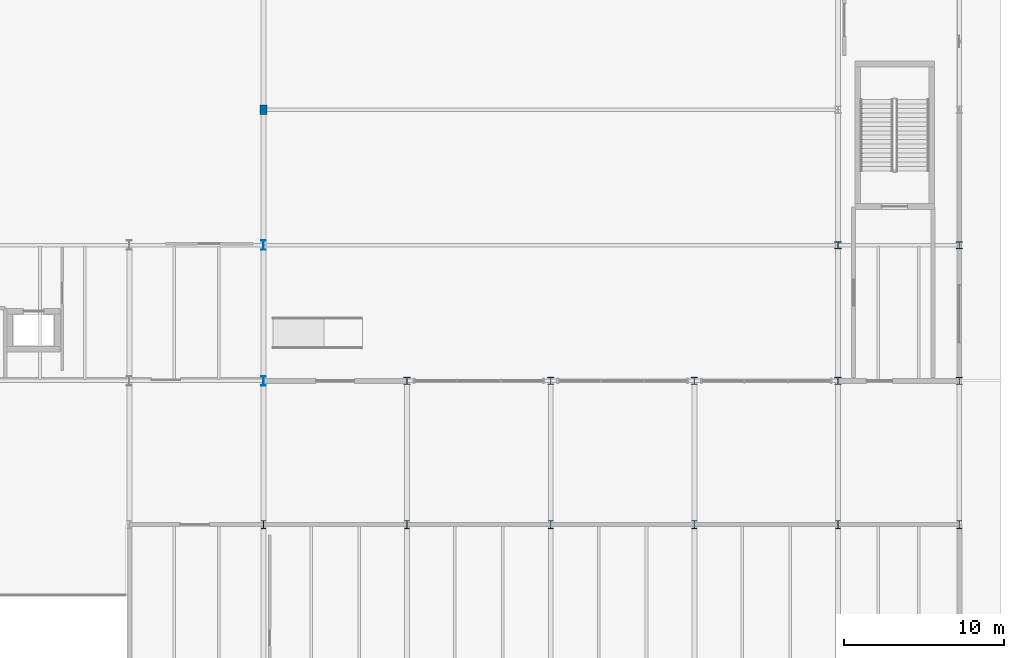
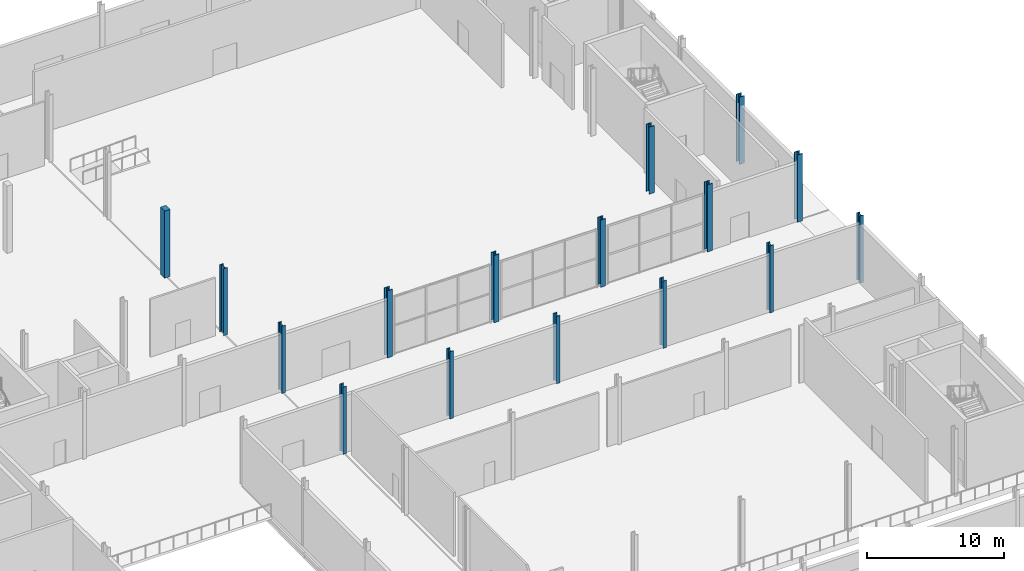
# One storey, part 15 of 84: 16 columns.
"""IFC4 building model written with IfcOpenShell, lengths in metres."""

import ifcopenshell
import ifcopenshell.guid

model = None  # the IFC model being written
_history = None  # IfcOwnerHistory: only IFC2X3 demands one
_inside = {}  # id of a spatial element -> (the spatial element, [elements in it])
_under = {}  # id of a project, library or spatial element -> (it, [spatial elements below it])
_declared = {}  # id of a project -> (the project, [libraries it declares])
_typed = {}  # id of a type object -> (the type object, [elements of that type])
_made_of = {}  # id of a material, layer set ... -> (it, [elements and type objects made of it])


def new_model(schema):
    """Start an empty IFC model of exactly this schema.

    Asked for "IFC4X3", IfcOpenShell would pick the latest addendum, in which some entities
    have other attributes; the version numbers below select the first issue.
    IFC2X3 requires an IfcOwnerHistory on every rooted entity: one is made here for all.
    """
    global model, _history
    if schema == "IFC4X3":
        model = ifcopenshell.file(schema_version=(4, 3, 0, 0))
    else:
        model = ifcopenshell.file(schema=schema)
    _inside.clear()
    _under.clear()
    _declared.clear()
    _typed.clear()
    _made_of.clear()
    _history = None
    if model.schema == "IFC2X3":
        org = make("IfcOrganization", Name="unknown")
        user = make(
            "IfcPersonAndOrganization",
            ThePerson=make("IfcPerson", FamilyName="unknown"),
            TheOrganization=org,
        )
        app = make(
            "IfcApplication",
            ApplicationDeveloper=org,
            Version="unknown",
            ApplicationFullName="unknown",
            ApplicationIdentifier="unknown",
        )
        _history = make(
            "IfcOwnerHistory",
            OwningUser=user,
            OwningApplication=app,
            ChangeAction="ADDED",
            CreationDate=0,
        )
    return model


def make(cls, **values):
    """One entity of the class cls with the attributes given. An attribute that is None is left unset."""
    return model.create_entity(
        cls, **{name: value for name, value in values.items() if value is not None}
    )


def rooted(cls, **values):
    """An entity with a GlobalId (a new one), such as an element, a storey or a relation."""
    return make(cls, GlobalId=ifcopenshell.guid.new(), OwnerHistory=_history, **values)


def si_unit(unit_type, name, prefix=None):
    """IfcSIUnit, for example si_unit("LENGTHUNIT", "METRE", prefix="MILLI")."""
    return make("IfcSIUnit", UnitType=unit_type, Prefix=prefix, Name=name)


def assignment(units):
    """IfcUnitAssignment: the units of a project."""
    return None if units is None else make("IfcUnitAssignment", Units=units)


def point(xyz):
    """IfcCartesianPoint."""
    return None if xyz is None else make("IfcCartesianPoint", Coordinates=xyz)


def direction(xyz):
    """IfcDirection."""
    return None if xyz is None else make("IfcDirection", DirectionRatios=xyz)


def frame(location, z_axis=None, x_axis=None):
    """IfcAxis2Placement3D, a coordinate frame: its origin and axes. An axis left out is left unset."""
    return make(
        "IfcAxis2Placement3D",
        Location=point(location),
        Axis=direction(z_axis),
        RefDirection=direction(x_axis),
    )


def frame_2d(location, x_axis=None):
    """IfcAxis2Placement2D, a coordinate frame in the plane: its origin and x axis."""
    return make(
        "IfcAxis2Placement2D", Location=point(location), RefDirection=direction(x_axis)
    )


def origin():
    """The frame at (0, 0, 0) with its axes left unset."""
    return frame((0.0, 0.0, 0.0))


def origin_2d():
    """The frame at (0, 0) in the plane with its x axis left unset."""
    return frame_2d((0.0, 0.0))


def place(relative_to, where):
    """IfcLocalPlacement: puts the frame where relative to a parent placement (None: the world)."""
    return make(
        "IfcLocalPlacement", PlacementRelTo=relative_to, RelativePlacement=where
    )


def context(
    kind, dimensions, precision=None, world=None, true_north=None, identifier=None
):
    """IfcGeometricRepresentationContext, for example the 3D "Model" context."""
    return make(
        "IfcGeometricRepresentationContext",
        ContextIdentifier=identifier,
        ContextType=kind,
        CoordinateSpaceDimension=dimensions,
        Precision=precision,
        WorldCoordinateSystem=world,
        TrueNorth=true_north,
    )


def subcontext(parent, identifier, kind, view, scale=None):
    """IfcGeometricRepresentationSubContext, for example "Body" below "Model"."""
    return make(
        "IfcGeometricRepresentationSubContext",
        ContextIdentifier=identifier,
        ContextType=kind,
        ParentContext=parent,
        TargetScale=scale,
        TargetView=view,
    )


def project(units=None, contexts=None):
    """IfcProject with its units and contexts."""
    return rooted(
        "IfcProject",
        Name="project",
        RepresentationContexts=contexts,
        UnitsInContext=assignment(units),
    )


def spatial(cls, under=None, at=None, **own):
    """A site, building, storey or space (cls), placed at a placement, below another one or the project."""
    s = rooted(cls, ObjectPlacement=at, **own)
    if under is not None:
        _under.setdefault(under.id(), (under, []))[1].append(s)
    return s


def profile(cls, at=None, kind="AREA", **sizes):
    """A parametric profile (cls). Its sizes go by their IFC names, for example OverallWidth=200.0."""
    return make(cls, ProfileType=kind, Position=at, **sizes)


def rectangle(**sizes):
    """IfcRectangleProfileDef."""
    return profile("IfcRectangleProfileDef", **sizes)


def i_section(**sizes):
    """IfcIShapeProfileDef."""
    return profile("IfcIShapeProfileDef", **sizes)


def extrude(swept, where, along, depth):
    """IfcExtrudedAreaSolid: the profile swept, set in the frame where, extruded along a direction by depth."""
    return make(
        "IfcExtrudedAreaSolid",
        SweptArea=swept,
        Position=where,
        ExtrudedDirection=direction(along),
        Depth=depth,
    )


def shape(context_of_items, identifier, shape_type, items):
    """IfcShapeRepresentation: the items that make up one representation, for example the "Body"."""
    return make(
        "IfcShapeRepresentation",
        ContextOfItems=context_of_items,
        RepresentationIdentifier=identifier,
        RepresentationType=shape_type,
        Items=items,
    )


def material(Name=None, Category=None):
    """IfcMaterial."""
    return make("IfcMaterial", Name=Name, Category=Category)


def material_profile(
    of_material, cross_section, Name=None, Category=None, Priority=None
):
    """IfcMaterialProfile: a cross section and its material."""
    return make(
        "IfcMaterialProfile",
        Name=Name,
        Material=of_material,
        Profile=cross_section,
        Priority=Priority,
        Category=Category,
    )


def profile_set(profiles, Name=None, composite=None):
    """IfcMaterialProfileSet."""
    return make(
        "IfcMaterialProfileSet",
        Name=Name,
        MaterialProfiles=profiles,
        CompositeProfile=composite,
    )


def made_of(thing, what):
    """Note that an element or type object is made of a material, layer set ...; save() writes the relation."""
    if what is not None:
        _made_of.setdefault(what.id(), (what, []))[1].append(thing)
    return thing


def type_object(cls, material=None, **own):
    """A type object (cls), such as IfcWallType, which elements share."""
    return made_of(rooted(cls, **own), material)


def element(
    cls,
    number,
    at=None,
    inside=None,
    cuts=None,
    type_object=None,
    material=None,
    context=None,
    identifier="Body",
    shape_type=None,
    held_by="IfcProductDefinitionShape",
    body=None,
    shapes=None,
    **own,
):
    """One element of the class cls, such as IfcWall. Its Tag is "e" and its number.

    at: its placement. inside: the storey or other place that contains it. cuts: it is an
    opening in that element (IfcRelVoidsElement). A single representation is given by context,
    identifier, shape_type and body (its items); several are given by shapes. held_by: the class
    of the entity that holds the representations. save() writes the other relations.
    """
    e = rooted(cls, Tag="e%d" % number, ObjectPlacement=at, **own)
    if body is not None:
        shapes = [shape(context, identifier, shape_type, body)]
    if shapes is not None:
        e.Representation = make(held_by, Representations=shapes)
    if inside is not None:
        _inside.setdefault(inside.id(), (inside, []))[1].append(e)
    if cuts is not None:
        rooted(
            "IfcRelVoidsElement", RelatingBuildingElement=cuts, RelatedOpeningElement=e
        )
    if type_object is not None:
        _typed.setdefault(type_object.id(), (type_object, []))[1].append(e)
    return made_of(e, material)


def aggregate(whole, parts):
    """IfcRelAggregates: a whole, such as a stair, and the parts it consists of."""
    return rooted("IfcRelAggregates", RelatingObject=whole, RelatedObjects=parts)


def save(model, path):
    """Write the relations noted so far, then the file.

    IfcRelAggregates (storeys below a building ...), IfcRelContainedInSpatialStructure (elements
    in a storey), IfcRelDefinesByType, IfcRelAssociatesMaterial and IfcRelDeclares: one each for
    every whole, place, type object, material and project.
    """
    for whole, parts in _under.values():
        aggregate(whole, parts)
    for where, things in _inside.values():
        rooted(
            "IfcRelContainedInSpatialStructure",
            RelatedElements=things,
            RelatingStructure=where,
        )
    for kind, things in _typed.values():
        rooted("IfcRelDefinesByType", RelatedObjects=things, RelatingType=kind)
    for what, things in _made_of.values():
        rooted("IfcRelAssociatesMaterial", RelatedObjects=things, RelatingMaterial=what)
    for by, libraries in _declared.values():
        rooted("IfcRelDeclares", RelatingContext=by, RelatedDefinitions=libraries)
    model.write(path)


model = new_model("IFC4")

# Units and contexts
model_context = context("Model", 3, precision=1e-05, world=origin(), true_north=direction((0.0, 1.0)))
body_context = subcontext(model_context, "Body", "Model", "MODEL_VIEW")
ifc_project = project(units=[si_unit("LENGTHUNIT", "METRE"), si_unit("AREAUNIT", "SQUARE_METRE"), si_unit("VOLUMEUNIT", "CUBIC_METRE"), si_unit("PLANEANGLEUNIT", "RADIAN"), si_unit("MASSUNIT", "GRAM", prefix="KILO")], contexts=[model_context])

# Site, building, storey
site_placement = place(None, origin())
site = spatial("IfcSite", under=ifc_project, at=site_placement, CompositionType="ELEMENT")
building_placement = place(site_placement, origin())
building = spatial("IfcBuilding", under=site, at=building_placement, Name="Sefraquen Railside Congress Hotel", CompositionType="ELEMENT")
storey_placement = place(building_placement, origin())
storey = spatial("IfcBuildingStorey", under=building, at=storey_placement, Name="L00", CompositionType="ELEMENT", Elevation=0.0)

# Columns
ifc_material_1 = material(Name="Steel S355J2", Category="steel")
ifc_material_profile_1 = material_profile(ifc_material_1, i_section(OverallWidth=0.424072265625, OverallDepth=0.47412109375, WebThickness=0.044921875, FlangeThickness=0.054931640625, FilletRadius=0.014892578125, at=origin_2d()), Name="HD 400x634")
ifc_profile_set_1 = profile_set([ifc_material_profile_1], Name="Steel S355J2")
column_type_1 = type_object("IfcColumnType", Name="TC-HD-634", PredefinedType="COLUMN", material=ifc_profile_set_1)
for number, where, z_axis, x_axis, name in (
    (1, (164.39990234375, 54.0, 0.0), (0.0, 0.0, 1.0), (1.0, 0.0, 0.0), "Structural column 21-G L00"),
    (2, (164.39990234375, 62.5, 0.0), (0.0, 0.0, 1.0), (1.0, 0.0, 0.0), "Structural column 21-H L00"),
    (3, (172.0, 54.0, 0.0), (0.0, 0.0, 1.0), (1.0, 0.0, 0.0), "Structural column 22-G L00"),
    (4, (172.0, 62.5, 0.0), (0.0, 0.0, 1.0), (1.0, 0.0, 0.0), "Structural column 22-H L00"),
    (5, (137.39990234375, 54.0, 0.0), (0.0, 0.0, 1.0), (1.0, 0.0, 0.0), "Structural column 18-G L00"),
    (6, (146.39990234375, 54.0, 0.0), (0.0, 0.0, 1.0), (1.0, 0.0, 0.0), "Structural column 19-G L00"),
    (7, (155.39990234375, 54.0, 0.0), (0.0, 0.0, 1.0), (1.0, 0.0, 0.0), "Structural column 20-G L00"),
):
    element("IfcColumn", number, at=place(storey_placement, frame(where, z_axis=z_axis, x_axis=x_axis)), inside=storey, type_object=column_type_1, Name=name, PredefinedType="COLUMN", context=body_context, shape_type="SweptSolid", body=[
        extrude(i_section(OverallWidth=0.424072265625, OverallDepth=0.47412109375, WebThickness=0.044921875, FlangeThickness=0.054931640625, FilletRadius=0.014892578125, at=origin_2d()), origin(), (0.0, 0.0, 1.0), 6.0),
    ])
ifc_material_2 = material(Name="Steel S355JR", Category="steel")
ifc_material_profile_2 = material_profile(ifc_material_2, i_section(OverallWidth=0.300048828125, OverallDepth=0.5, WebThickness=0.014404296875, FlangeThickness=0.028076171875, FilletRadius=0.027099609375, at=origin_2d()), Name="HEB 500")
ifc_profile_set_2 = profile_set([ifc_material_profile_2], Name="Steel S355JR")
column_type_2 = type_object("IfcColumnType", Name="TC-HEB-500", PredefinedType="COLUMN", material=ifc_profile_set_2)
for number, where, z_axis, x_axis, name in (
    (8, (128.39990234375, 45.0, 0.0), (0.0, 0.0, 1.0), (1.0, 0.0, 0.0), "Structural column 17-F L00"),
    (9, (137.39990234375, 45.0, 0.0), (0.0, 0.0, 1.0), (1.0, 0.0, 0.0), "Structural column 18-F L00"),
    (10, (146.39990234375, 45.0, 0.0), (0.0, 0.0, 1.0), (1.0, 0.0, 0.0), "Structural column 19-F L00"),
    (11, (155.39990234375, 45.0, 0.0), (0.0, 0.0, 1.0), (1.0, 0.0, 0.0), "Structural column 20-F L00"),
    (12, (164.39990234375, 45.0, 0.0), (0.0, 0.0, 1.0), (1.0, 0.0, 0.0), "Structural column 21-F L00"),
    (13, (172.0, 45.0, 0.0), (0.0, 0.0, 1.0), (1.0, 0.0, 0.0), "Structural column 22-F L00"),
):
    element("IfcColumn", number, at=place(storey_placement, frame(where, z_axis=z_axis, x_axis=x_axis)), inside=storey, type_object=column_type_2, Name=name, PredefinedType="COLUMN", context=body_context, shape_type="SweptSolid", body=[
        extrude(i_section(OverallWidth=0.300048828125, OverallDepth=0.5, WebThickness=0.014404296875, FlangeThickness=0.028076171875, FilletRadius=0.027099609375, at=origin_2d()), origin(), (0.0, 0.0, 1.0), 6.0),
    ])
ifc_material_profile_3 = material_profile(ifc_material_2, i_section(OverallWidth=0.300048828125, OverallDepth=0.60009765625, WebThickness=0.015380859375, FlangeThickness=0.030029296875, FilletRadius=0.027099609375, at=origin_2d()), Name="HEB 600")
ifc_profile_set_3 = profile_set([ifc_material_profile_3], Name="Steel S355JR")
column_type_3 = type_object("IfcColumnType", Name="TC-HEB-600", PredefinedType="COLUMN", material=ifc_profile_set_3)
for number, where, z_axis, x_axis, name in (
    (14, (128.39990234375, 54.0, 0.0), (0.0, 0.0, 1.0), (1.0, 0.0, 0.0), "Structural column 17-G L00"),
    (15, (128.39990234375, 62.5, 0.0), (0.0, 0.0, 1.0), (1.0, 0.0, 0.0), "Structural column 17-H L00"),
):
    element("IfcColumn", number, at=place(storey_placement, frame(where, z_axis=z_axis, x_axis=x_axis)), inside=storey, type_object=column_type_3, Name=name, PredefinedType="COLUMN", context=body_context, shape_type="SweptSolid", body=[
        extrude(i_section(OverallWidth=0.300048828125, OverallDepth=0.60009765625, WebThickness=0.015380859375, FlangeThickness=0.030029296875, FilletRadius=0.027099609375, at=origin_2d()), origin(), (0.0, 0.0, 1.0), 6.0),
    ])
ifc_material_3 = material(Name="Concrete C50/60", Category="concrete")
ifc_material_profile_4 = material_profile(ifc_material_3, rectangle(XDim=0.449951171875, YDim=0.60009765625, at=origin_2d()), Name="RC 600x450")
ifc_profile_set_4 = profile_set([ifc_material_profile_4], Name="Concrete C50/60")
column_type_4 = type_object("IfcColumnType", Name="TC-PIL-600", PredefinedType="PILASTER", material=ifc_profile_set_4)
column_placement = place(storey_placement, frame((128.39990234375, 71.0, 0.0), z_axis=(0.0, 0.0, 1.0), x_axis=(1.0, 0.0, 0.0)))
element("IfcColumn", 16, at=column_placement, inside=storey, type_object=column_type_4, Name="Structural column 17-J L00", PredefinedType="PILASTER", context=body_context, shape_type="SweptSolid", body=[
    extrude(rectangle(XDim=0.449951171875, YDim=0.60009765625, at=origin_2d()), origin(), (0.0, 0.0, 1.0), 6.0),
])

save(model, "model.ifc")
